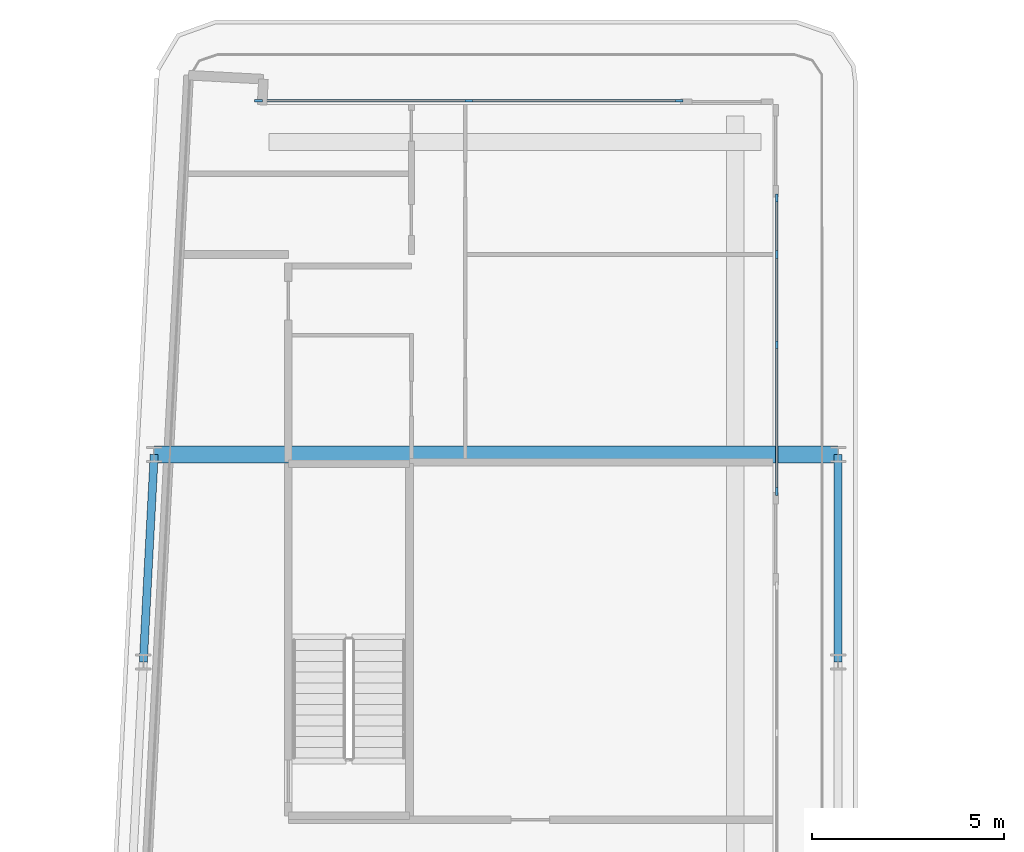
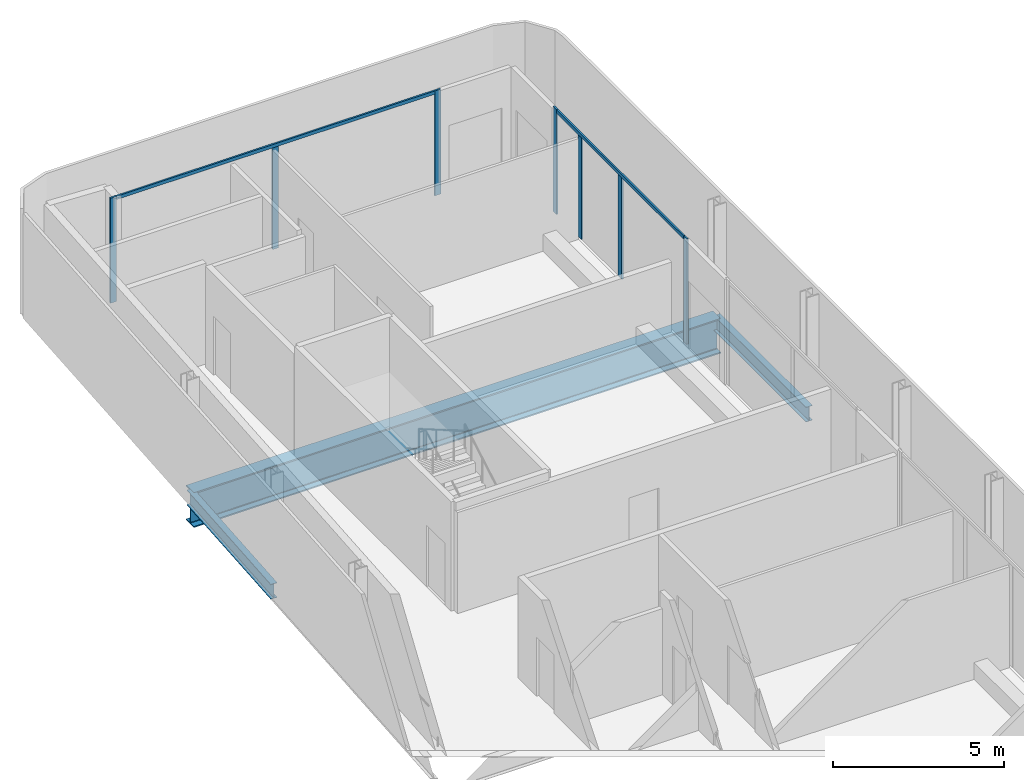
# One storey, part 7 of 23: 9 members, 3 beams, 2 elements without a shape of their own.
"""IFC4 building model written with IfcOpenShell, lengths in metres."""

from ifc_helpers import new_model, si_unit, direction, frame, origin, origin_2d, place, context, subcontext, project, spatial, rectangle, i_section, extrude, material, layer, layer_set, material_profile, profile_set, type_object, element, aggregate, save


model = new_model("IFC4")

# Units and contexts
model_context = context("Model", 3, precision=1e-05, world=origin(), true_north=direction((0.0, 1.0)))
body_context = subcontext(model_context, "Body", "Model", "MODEL_VIEW")
ifc_project = project(units=[si_unit("LENGTHUNIT", "METRE"), si_unit("AREAUNIT", "SQUARE_METRE"), si_unit("VOLUMEUNIT", "CUBIC_METRE"), si_unit("PLANEANGLEUNIT", "RADIAN"), si_unit("MASSUNIT", "GRAM", prefix="KILO")], contexts=[model_context])

# Site, building, storey
site_placement = place(None, origin())
site = spatial("IfcSite", under=ifc_project, at=site_placement, CompositionType="ELEMENT")
building_placement = place(site_placement, origin())
building = spatial("IfcBuilding", under=site, at=building_placement, Name="Kheshtan School and Residences Tower", CompositionType="ELEMENT")
storey_placement = place(building_placement, frame((0.0, 0.0, 243.5)))
storey = spatial("IfcBuildingStorey", under=building, at=storey_placement, Name="L57", CompositionType="ELEMENT", Elevation=243.5)

# Beams
ifc_material_1 = material(Name="Steel ASTM A992 Grade 50", Category="steel")
ifc_material_profile_1 = material_profile(ifc_material_1, i_section(OverallWidth=0.208984375, OverallDepth=0.532958984375, WebThickness=0.01025390625, FlangeThickness=0.015625, FilletRadius=0.013916015625, at=origin_2d()), Name="W530x92")
ifc_profile_set_1 = profile_set([ifc_material_profile_1], Name="Steel ASTM A992 Grade 50")
beam_type_1 = type_object("IfcBeamType", Name="Beam SP3 W530x92 ASTM A992 Grade 50", PredefinedType="BEAM", material=ifc_profile_set_1)
beam_1_placement = place(storey_placement, frame((47.60009765625, 88.800048828125, -0.41650390625), z_axis=(0.0, -1.0, 0.0), x_axis=(1.0, 0.0, 0.0)))
element("IfcBeam", 1, at=beam_1_placement, inside=storey, type_object=beam_type_1, Name="Spandrel beam C099-C091", PredefinedType="BEAM", context=body_context, shape_type="SweptSolid", body=[
    extrude(i_section(OverallWidth=0.208984375, OverallDepth=0.532958984375, WebThickness=0.01025390625, FlangeThickness=0.015625, FilletRadius=0.013916015625, at=origin_2d()), origin(), (0.0, 0.0, 1.0), 5.400146484375),
])
beam_2_placement = place(storey_placement, frame((29.527099609375, 83.39990234375, -0.41650390625), z_axis=(0.05250670125, 0.998620571751, 0.0), x_axis=(-0.998620571751, 0.05250670125, 0.0)))
element("IfcBeam", 2, at=beam_2_placement, inside=storey, type_object=beam_type_1, Name="Spandrel beam C090-C098", PredefinedType="BEAM", context=body_context, shape_type="SweptSolid", body=[
    extrude(i_section(OverallWidth=0.208984375, OverallDepth=0.532958984375, WebThickness=0.01025390625, FlangeThickness=0.015625, FilletRadius=0.013916015625, at=origin_2d()), origin(), (0.0, 0.0, 1.0), 5.40771484375),
])

# Curtain wall, members
ifc_material_2 = material(Name="Clear low-e glass in thermally broken aluminium frame", Category="aluminium")
ifc_layer = layer(ifc_material_2, 0.199951171875)
ifc_layer_set = layer_set([ifc_layer], Name="Curtain wall CW-L")
curtain_wall_type = type_object("IfcCurtainWallType", Name="Curtain wall CW-L", PredefinedType="NOTDEFINED", material=ifc_layer_set)
curtain_wall_1_placement = place(storey_placement, origin())
curtain_wall_1 = element("IfcCurtainWall", 3, at=curtain_wall_1_placement, inside=storey, type_object=curtain_wall_type, Name="Curtain wall CWL7", PredefinedType="NOTDEFINED")
ifc_material_3 = material(Name="Thermally broken aluminium, dark bronze anodised", Category="aluminium")
ifc_material_profile_2 = material_profile(ifc_material_3, rectangle(XDim=0.06005859375, YDim=0.199951171875, at=origin_2d()), Name="CW-L mullion 60x200")
ifc_profile_set_2 = profile_set([ifc_material_profile_2], Name="Thermally broken aluminium, dark bronze anodised")
member_type_1 = type_object("IfcMemberType", Name="CW-L mullion 60x200", PredefinedType="MULLION", material=ifc_profile_set_2)
member_1_placement = place(storey_placement, frame((32.52197265625, 98.0, 0.0), z_axis=(0.0, 0.0, 1.0), x_axis=(0.0, 1.0, 0.0)))
member_1 = element("IfcMember", 4, at=member_1_placement, type_object=member_type_1, Name="CWL7 mullion 1", PredefinedType="MULLION", context=body_context, shape_type="SweptSolid", body=[
    extrude(rectangle(XDim=0.06005859375, YDim=0.199951171875, at=origin_2d()), origin(), (0.0, 0.0, 1.0), 3.75),
])
member_2_placement = place(storey_placement, frame((37.99609375, 98.0, 0.0), z_axis=(0.0, 0.0, 1.0), x_axis=(0.0, 1.0, 0.0)))
member_2 = element("IfcMember", 5, at=member_2_placement, type_object=member_type_1, Name="CWL7 mullion 2", PredefinedType="MULLION", context=body_context, shape_type="SweptSolid", body=[
    extrude(rectangle(XDim=0.06005859375, YDim=0.199951171875, at=origin_2d()), origin(), (0.0, 0.0, 1.0), 3.6298828125),
])
member_3_placement = place(storey_placement, frame((43.469970703125, 98.0, 0.0), z_axis=(0.0, 0.0, 1.0), x_axis=(0.0, 1.0, 0.0)))
member_3 = element("IfcMember", 6, at=member_3_placement, type_object=member_type_1, Name="CWL7 mullion 3", PredefinedType="MULLION", context=body_context, shape_type="SweptSolid", body=[
    extrude(rectangle(XDim=0.06005859375, YDim=0.199951171875, at=origin_2d()), origin(), (0.0, 0.0, 1.0), 3.75),
])

curtain_wall_2_placement = place(storey_placement, origin())
curtain_wall_2 = element("IfcCurtainWall", 7, at=curtain_wall_2_placement, inside=storey, type_object=curtain_wall_type, Name="Curtain wall CWL8c", PredefinedType="NOTDEFINED")
member_4_placement = place(storey_placement, frame((46.0, 95.469970703125, 0.0), z_axis=(0.0, 0.0, 1.0), x_axis=(1.0, 0.0, 0.0)))
member_4 = element("IfcMember", 8, at=member_4_placement, type_object=member_type_1, Name="CWL8c mullion 1", PredefinedType="MULLION", context=body_context, shape_type="SweptSolid", body=[
    extrude(rectangle(XDim=0.06005859375, YDim=0.199951171875, at=origin_2d()), origin(), (0.0, 0.0, 1.0), 3.75),
])
member_5_placement = place(storey_placement, frame((46.0, 94.0, 0.0), z_axis=(0.0, 0.0, 1.0), x_axis=(1.0, 0.0, 0.0)))
member_5 = element("IfcMember", 9, at=member_5_placement, type_object=member_type_1, Name="CWL8c mullion 2", PredefinedType="MULLION", context=body_context, shape_type="SweptSolid", body=[
    extrude(rectangle(XDim=0.06005859375, YDim=0.199951171875, at=origin_2d()), origin(), (0.0, 0.0, 1.0), 3.6298828125),
])
member_6_placement = place(storey_placement, frame((46.0, 91.653076171875, 0.0), z_axis=(0.0, 0.0, 1.0), x_axis=(1.0, 0.0, 0.0)))
member_6 = element("IfcMember", 10, at=member_6_placement, type_object=member_type_1, Name="CWL8c mullion 3", PredefinedType="MULLION", context=body_context, shape_type="SweptSolid", body=[
    extrude(rectangle(XDim=0.06005859375, YDim=0.199951171875, at=origin_2d()), origin(), (0.0, 0.0, 1.0), 3.6298828125),
])
member_7_placement = place(storey_placement, frame((46.0, 87.8359375, 0.0), z_axis=(0.0, 0.0, 1.0), x_axis=(1.0, 0.0, 0.0)))
member_7 = element("IfcMember", 11, at=member_7_placement, type_object=member_type_1, Name="CWL8c mullion 4", PredefinedType="MULLION", context=body_context, shape_type="SweptSolid", body=[
    extrude(rectangle(XDim=0.06005859375, YDim=0.199951171875, at=origin_2d()), origin(), (0.0, 0.0, 1.0), 3.75),
])

# Member
ifc_material_profile_3 = material_profile(ifc_material_3, rectangle(XDim=0.06005859375, YDim=0.1201171875, at=origin_2d()), Name="CW-L transom 60x120")
ifc_profile_set_3 = profile_set([ifc_material_profile_3], Name="Thermally broken aluminium, dark bronze anodised")
member_type_2 = type_object("IfcMemberType", Name="CW-L transom 60x120", PredefinedType="USERDEFINED", material=ifc_profile_set_3)
member_8_placement = place(storey_placement, frame((32.552001953125, 98.0, 3.68994140625), z_axis=(1.0, 0.0, 0.0), x_axis=(0.0, 1.0, 0.0)))
member_8 = element("IfcMember", 12, at=member_8_placement, type_object=member_type_2, Name="CWL7 transom 1", ObjectType="TRANSOM", PredefinedType="USERDEFINED", context=body_context, shape_type="SweptSolid", body=[
    extrude(rectangle(XDim=0.06005859375, YDim=0.1201171875, at=origin_2d()), origin(), (0.0, 0.0, 1.0), 10.887939453125),
])

aggregate(curtain_wall_1, [member_1, member_2, member_3, member_8])

member_9_placement = place(storey_placement, frame((46.0, 95.43994140625, 3.68994140625), z_axis=(0.0, -1.0, 0.0), x_axis=(1.0, 0.0, 0.0)))
member_9 = element("IfcMember", 13, at=member_9_placement, type_object=member_type_2, Name="CWL8c transom 1", ObjectType="TRANSOM", PredefinedType="USERDEFINED", context=body_context, shape_type="SweptSolid", body=[
    extrude(rectangle(XDim=0.06005859375, YDim=0.1201171875, at=origin_2d()), origin(), (0.0, 0.0, 1.0), 7.573974609375),
])

aggregate(curtain_wall_2, [member_4, member_5, member_6, member_7, member_9])

# Beam
ifc_material_profile_4 = material_profile(ifc_material_1, i_section(OverallWidth=0.449951171875, OverallDepth=1.25, WebThickness=0.02490234375, FlangeThickness=0.044921875, FilletRadius=0.03759765625, at=origin_2d()), Name="WWF1250x546")
ifc_profile_set_4 = profile_set([ifc_material_profile_4], Name="Steel ASTM A992 Grade 50")
beam_type_2 = type_object("IfcBeamType", Name="Transfer girder TG4 WWF1250x546 ASTM A992 Grade 50", PredefinedType="BEAM", material=ifc_profile_set_4)
beam_3_placement = place(storey_placement, frame((29.81103515625, 88.800048828125, -0.77490234375), z_axis=(1.0, 0.0, 0.0), x_axis=(0.0, 1.0, 0.0)))
element("IfcBeam", 14, at=beam_3_placement, inside=storey, type_object=beam_type_2, Name="Transfer girder C098-C099", PredefinedType="BEAM", context=body_context, shape_type="SweptSolid", body=[
    extrude(i_section(OverallWidth=0.449951171875, OverallDepth=1.25, WebThickness=0.02490234375, FlangeThickness=0.044921875, FilletRadius=0.03759765625, at=origin_2d()), origin(), (0.0, 0.0, 1.0), 17.7890625),
])

save(model, "model.ifc")
